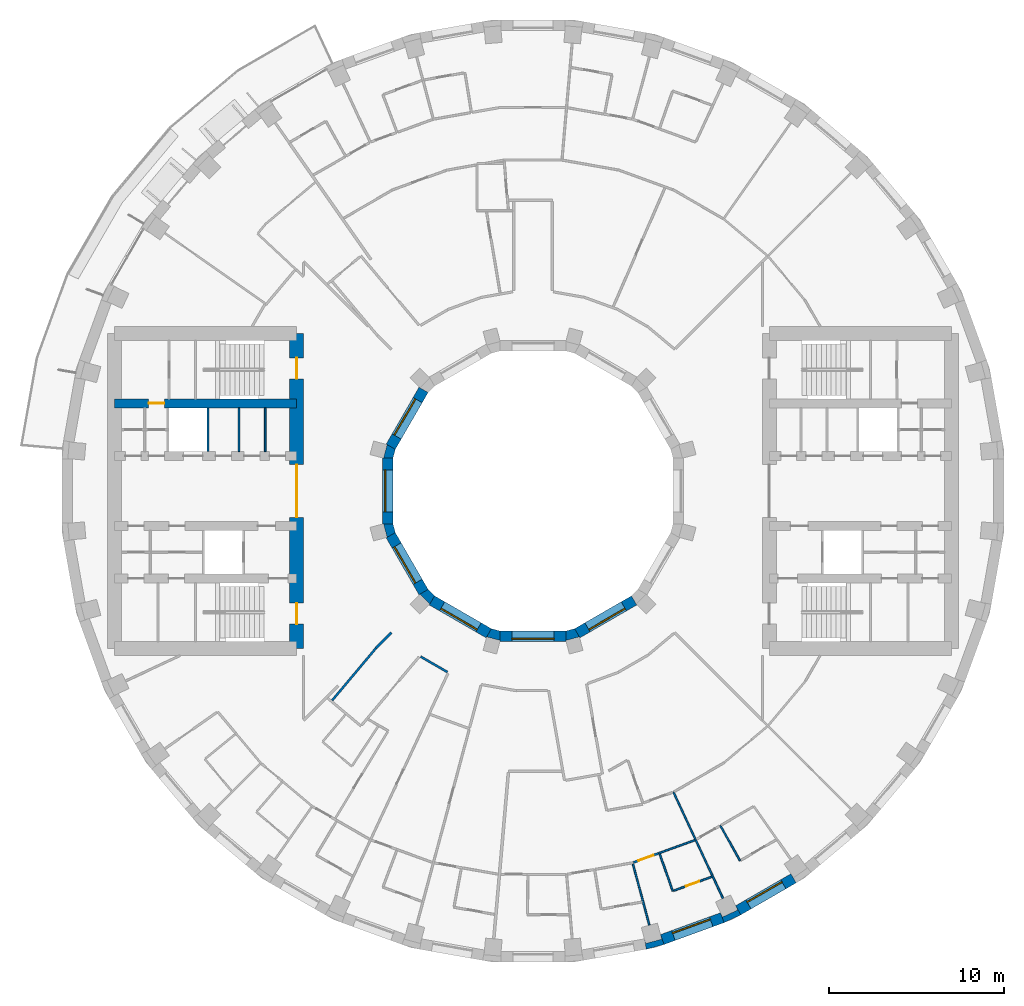
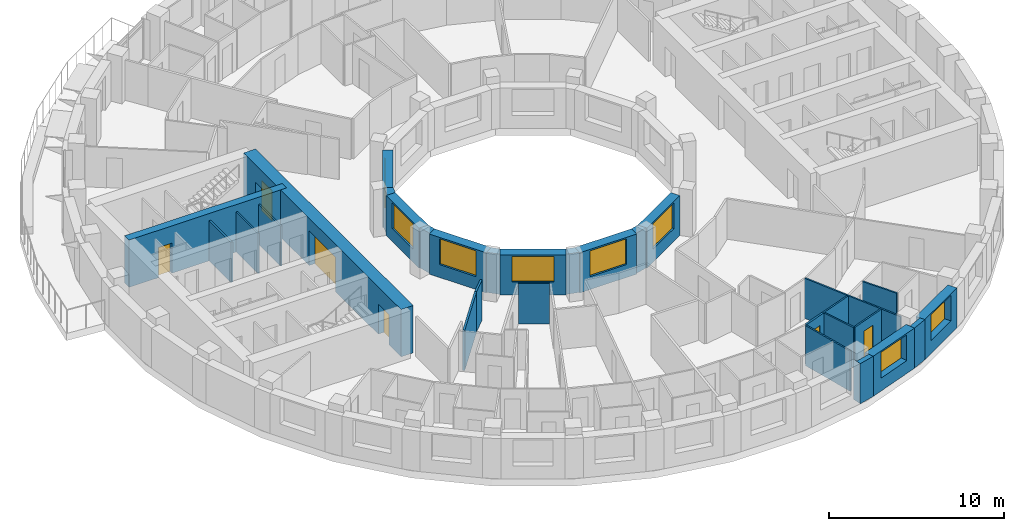
# One storey, part 7 of 14: 30 walls, 8 windows, 6 doors, 14 openings.
"""IFC4 building model written with IfcOpenShell, lengths in metres."""

from ifc_helpers import new_model, si_unit, direction, frame, frame_2d, origin, place, context, subcontext, project, spatial, polyline, rectangle, outline, extrude, material, layer, layer_set, type_object, element, fill, save


model = new_model("IFC4")

# Units and contexts
model_context = context("Model", 3, precision=1e-05, world=origin(), true_north=direction((0.0, 1.0)))
body_context = subcontext(model_context, "Body", "Model", "MODEL_VIEW")
ifc_project = project(units=[si_unit("LENGTHUNIT", "METRE"), si_unit("AREAUNIT", "SQUARE_METRE"), si_unit("VOLUMEUNIT", "CUBIC_METRE"), si_unit("PLANEANGLEUNIT", "RADIAN"), si_unit("MASSUNIT", "GRAM", prefix="KILO")], contexts=[model_context])

# Site, building, storey
site_placement = place(None, origin())
site = spatial("IfcSite", under=ifc_project, at=site_placement, CompositionType="ELEMENT")
building_placement = place(site_placement, origin())
building = spatial("IfcBuilding", under=site, at=building_placement, Name="Saqina Gate Tower", CompositionType="ELEMENT")
storey_placement = place(building_placement, frame((0.0, 0.0, 101.800048828125)))
storey = spatial("IfcBuildingStorey", under=building, at=storey_placement, Name="L28", CompositionType="ELEMENT", Elevation=101.800048828125)

# Walls
ifc_material_1 = material(Name="Brick masonry (buff)", Category="masonry")
wall_type_1 = type_object("IfcWallType", Name="BRICK PIER COPING BUFF", PredefinedType="SOLIDWALL", material=ifc_material_1)
wall_1_placement = place(storey_placement, origin())
element("IfcWall", 1, at=wall_1_placement, inside=storey, type_object=wall_type_1, Name="Pier cap L28 column 29", PredefinedType="SOLIDWALL", context=body_context, shape_type="SweptSolid", body=[
    extrude(outline(polyline([(6.466796875, -26.171875), (7.485595703125, -25.89892578125), (7.2802734375, -25.335205078125), (7.349853515625, -25.5947265625), (6.43212890625, -25.8408203125), (6.36279296875, -25.5810546875), (6.466796875, -26.171875)])), origin(), (0.0, 0.0, 1.0), 2.800048828125),
])
wall_2_placement = place(storey_placement, origin())
element("IfcWall", 2, at=wall_2_placement, inside=storey, type_object=wall_type_1, Name="Pier cap L28 column 30", PredefinedType="SOLIDWALL", context=body_context, shape_type="SweptSolid", body=[
    extrude(outline(polyline([(10.913330078125, -24.6513671875), (11.869140625, -24.205810546875), (11.569091796875, -23.68603515625), (11.6826171875, -23.9296875), (10.82177734375, -24.331298828125), (10.7080078125, -24.08740234375), (10.913330078125, -24.6513671875)])), origin(), (0.0, 0.0, 1.0), 2.800048828125),
])
ifc_material_2 = material(Name="Gypsum board on steel studs", Category="steel")
ifc_layer_1 = layer(ifc_material_2, 0.10009765625)
ifc_layer_set_1 = layer_set([ifc_layer_1], Name="CORE PARTITION")
wall_type_2 = type_object("IfcWallType", Name="CORE PARTITION", PredefinedType="PARTITIONING", material=ifc_layer_set_1)
for number, where, z_axis, x_axis, name in (
    (3, (-15.298095703125, 2.25, 0.0), (0.0, 0.0, 1.0), (0.0, 1.0, 0.0), "L28-CP-W01"),
    (4, (-16.789306640625, 2.25, 0.0), (0.0, 0.0, 1.0), (0.0, 1.0, 0.0), "L28-CP-W02"),
):
    element("IfcWall", number, at=place(storey_placement, frame(where, z_axis=z_axis, x_axis=x_axis)), inside=storey, type_object=wall_type_2, Name=name, PredefinedType="PARTITIONING", context=body_context, shape_type="SweptSolid", body=[
        extrude(rectangle(XDim=2.5, YDim=0.10009765625, at=frame_2d((1.25, 0.0))), origin(), (0.0, 0.0, 1.0), 2.800048828125),
    ])

# Wall, opening, window
ifc_material_3 = material(Name="Brick masonry (buff)", Category="masonry")
ifc_layer_2 = layer(ifc_material_3, 0.60009765625)
ifc_layer_set_2 = layer_set([ifc_layer_2], Name="FW-BRICK-BUFF")
wall_type_3 = type_object("IfcWallType", Name="FW-BRICK-BUFF", PredefinedType="SOLIDWALL", material=ifc_layer_set_2)
wall_3_placement = place(storey_placement, frame((7.3828125, -25.616943359375, 0.0), z_axis=(0.0, 0.0, 1.0), x_axis=(0.939703505393, 0.341990236633, 0.0)))
wall_3 = element("IfcWall", 5, at=wall_3_placement, inside=storey, type_object=wall_type_3, Name="Facade wall L28 facet 29", PredefinedType="SOLIDWALL", context=body_context, shape_type="SweptSolid", body=[
    extrude(rectangle(XDim=3.64794921875, YDim=0.60009765625, at=frame_2d((1.823974609375, 0.0))), origin(), (0.0, 0.0, 1.0), 2.800048828125),
])
opening_1_placement = place(wall_3_placement, frame((0.673828125, 0.0, 0.89990234375)))
opening_1 = element("IfcOpeningElement", 6, at=opening_1_placement, cuts=wall_3, Name="Opening G08-W18", PredefinedType="OPENING", context=body_context, shape_type="SweptSolid", body=[
    extrude(rectangle(XDim=2.300048828125, YDim=1.800048828125, at=frame_2d((1.14990234375, 0.89990234375))), frame((0.0, 0.31201171875, 0.0), z_axis=(0.0, -1.0, 0.0), x_axis=(1.0, 0.0, 0.0)), (0.0, 0.0, 1.0), 0.6240234375),
])
ifc_material_4 = material(Name="Aluminium glazing", Category="aluminium")
window_type_1 = type_object("IfcWindowType", Name="WN-B", PartitioningType="SINGLE_PANEL", PredefinedType="WINDOW", material=ifc_material_4)
window_1_placement = place(opening_1_placement, origin())
window_1 = element("IfcWindow", 7, at=window_1_placement, inside=storey, type_object=window_type_1, Name="Window L28 facet 29", OverallHeight=1.800048828125, OverallWidth=2.300048828125, PartitioningType="SINGLE_PANEL", PredefinedType="WINDOW", context=body_context, shape_type="SweptSolid", body=[
    extrude(rectangle(XDim=2.300048828125, YDim=1.800048828125, at=frame_2d((1.14990234375, 0.89990234375))), frame((0.0, 0.179931640625, 0.0), z_axis=(0.0, -1.0, 0.0), x_axis=(1.0, 0.0, 0.0)), (0.0, 0.0, 1.0), 0.06005859375),
])
fill(opening_1, window_1)

wall_4_placement = place(storey_placement, frame((11.718994140625, -23.94580078125, 0.0), z_axis=(0.0, 0.0, 1.0), x_axis=(0.866051847062, 0.499954196102, 0.0)))
wall_4 = element("IfcWall", 8, at=wall_4_placement, inside=storey, type_object=wall_type_3, Name="Facade wall L28 facet 30", PredefinedType="SOLIDWALL", context=body_context, shape_type="SweptSolid", body=[
    extrude(rectangle(XDim=3.647705078125, YDim=0.60009765625, at=frame_2d((1.82373046875, 0.0))), origin(), (0.0, 0.0, 1.0), 2.800048828125),
])
opening_2_placement = place(wall_4_placement, frame((0.673828125, 0.0, 0.89990234375)))
opening_2 = element("IfcOpeningElement", 9, at=opening_2_placement, cuts=wall_4, Name="Opening G08-W19", PredefinedType="OPENING", context=body_context, shape_type="SweptSolid", body=[
    extrude(rectangle(XDim=2.300048828125, YDim=1.800048828125, at=frame_2d((1.14990234375, 0.89990234375))), frame((0.0, 0.31201171875, 0.0), z_axis=(0.0, -1.0, 0.0), x_axis=(1.0, 0.0, 0.0)), (0.0, 0.0, 1.0), 0.6240234375),
])
window_2_placement = place(opening_2_placement, origin())
window_2 = element("IfcWindow", 10, at=window_2_placement, inside=storey, type_object=window_type_1, Name="Window L28 facet 30", OverallHeight=1.800048828125, OverallWidth=2.300048828125, PartitioningType="SINGLE_PANEL", PredefinedType="WINDOW", context=body_context, shape_type="SweptSolid", body=[
    extrude(rectangle(XDim=2.300048828125, YDim=1.800048828125, at=frame_2d((1.14990234375, 0.89990234375))), frame((0.0, 0.179931640625, 0.0), z_axis=(0.0, -1.0, 0.0), x_axis=(1.0, 0.0, 0.0)), (0.0, 0.0, 1.0), 0.06005859375),
])
fill(opening_2, window_2)

ifc_material_5 = material(Name="Glazed ceramic tile", Category="ceramic")
ifc_layer_3 = layer(ifc_material_5, 0.60009765625)
ifc_layer_set_3 = layer_set([ifc_layer_3], Name="IW-TILE")
wall_type_4 = type_object("IfcWallType", Name="IW-TILE", PredefinedType="SOLIDWALL", material=ifc_layer_set_3)
wall_5_placement = place(storey_placement, frame((-6.251220703125, 5.772705078125, 0.0), z_axis=(0.0, 0.0, 1.0), x_axis=(-0.499964958637, -0.86604563398, 0.0)))
wall_5 = element("IfcWall", 11, at=wall_5_placement, inside=storey, type_object=wall_type_4, Name="Well wall L28 facet 5", PredefinedType="SOLIDWALL", context=body_context, shape_type="SweptSolid", body=[
    extrude(rectangle(XDim=3.747314453125, YDim=0.60009765625, at=frame_2d((1.87353515625, 0.0))), origin(), (0.0, 0.0, 1.0), 2.800048828125),
])
opening_3_placement = place(wall_5_placement, frame((0.673583984375, 0.0, 0.89990234375)))
opening_3 = element("IfcOpeningElement", 12, at=opening_3_placement, cuts=wall_5, Name="Opening G08-W27", PredefinedType="OPENING", context=body_context, shape_type="SweptSolid", body=[
    extrude(rectangle(XDim=2.39990234375, YDim=1.800048828125, at=frame_2d((1.199951171875, 0.89990234375))), frame((0.0, 0.31201171875, 0.0), z_axis=(0.0, -1.0, 0.0), x_axis=(1.0, 0.0, 0.0)), (0.0, 0.0, 1.0), 0.6240234375),
])
ifc_material_6 = material(Name="Aluminium glazing", Category="aluminium")
window_type_2 = type_object("IfcWindowType", Name="WN-W", PartitioningType="SINGLE_PANEL", PredefinedType="WINDOW", material=ifc_material_6)
window_3_placement = place(opening_3_placement, origin())
window_3 = element("IfcWindow", 13, at=window_3_placement, inside=storey, type_object=window_type_2, Name="Well window L28 facet 5", OverallHeight=1.800048828125, OverallWidth=2.39990234375, PartitioningType="SINGLE_PANEL", PredefinedType="WINDOW", context=body_context, shape_type="SweptSolid", body=[
    extrude(rectangle(XDim=2.39990234375, YDim=1.800048828125, at=frame_2d((1.199951171875, 0.89990234375))), frame((0.0, -0.119873046875, 0.0), z_axis=(0.0, -1.0, 0.0), x_axis=(1.0, 0.0, 0.0)), (0.0, 0.0, 1.0), 0.06005859375),
])
fill(opening_3, window_3)

wall_6_placement = place(storey_placement, frame((-8.300048828125, 1.873779296875, 0.0), z_axis=(0.0, 0.0, 1.0), x_axis=(0.0, -1.0, 0.0)))
wall_6 = element("IfcWall", 14, at=wall_6_placement, inside=storey, type_object=wall_type_4, Name="Well wall L28 facet 6", PredefinedType="SOLIDWALL", context=body_context, shape_type="SweptSolid", body=[
    extrude(rectangle(XDim=3.74755859375, YDim=0.60009765625, at=frame_2d((1.873779296875, 0.0))), origin(), (0.0, 0.0, 1.0), 2.800048828125),
])
opening_4_placement = place(wall_6_placement, frame((0.673583984375, 0.0, 0.89990234375)))
opening_4 = element("IfcOpeningElement", 15, at=opening_4_placement, cuts=wall_6, Name="Opening G08-W28", PredefinedType="OPENING", context=body_context, shape_type="SweptSolid", body=[
    extrude(rectangle(XDim=2.39990234375, YDim=1.800048828125, at=frame_2d((1.199951171875, 0.89990234375))), frame((0.0, 0.31201171875, 0.0), z_axis=(0.0, -1.0, 0.0), x_axis=(1.0, 0.0, 0.0)), (0.0, 0.0, 1.0), 0.6240234375),
])
window_4_placement = place(opening_4_placement, origin())
window_4 = element("IfcWindow", 16, at=window_4_placement, inside=storey, type_object=window_type_2, Name="Well window L28 facet 6", OverallHeight=1.800048828125, OverallWidth=2.39990234375, PartitioningType="SINGLE_PANEL", PredefinedType="WINDOW", context=body_context, shape_type="SweptSolid", body=[
    extrude(rectangle(XDim=2.39990234375, YDim=1.800048828125, at=frame_2d((1.199951171875, 0.89990234375))), frame((0.0, -0.119873046875, 0.0), z_axis=(0.0, -1.0, 0.0), x_axis=(1.0, 0.0, 0.0)), (0.0, 0.0, 1.0), 0.06005859375),
])
fill(opening_4, window_4)

wall_7_placement = place(storey_placement, frame((-8.124755859375, -2.52734375, 0.0), z_axis=(0.0, 0.0, 1.0), x_axis=(0.499964958637, -0.86604563398, 0.0)))
wall_7 = element("IfcWall", 17, at=wall_7_placement, inside=storey, type_object=wall_type_4, Name="Well wall L28 facet 7", PredefinedType="SOLIDWALL", context=body_context, shape_type="SweptSolid", body=[
    extrude(rectangle(XDim=3.747314453125, YDim=0.60009765625, at=frame_2d((1.87353515625, 0.0))), origin(), (0.0, 0.0, 1.0), 2.800048828125),
])
opening_5_placement = place(wall_7_placement, frame((0.673583984375, 0.0, 0.89990234375)))
opening_5 = element("IfcOpeningElement", 18, at=opening_5_placement, cuts=wall_7, Name="Opening G08-W29", PredefinedType="OPENING", context=body_context, shape_type="SweptSolid", body=[
    extrude(rectangle(XDim=2.39990234375, YDim=1.800048828125, at=frame_2d((1.199951171875, 0.89990234375))), frame((0.0, 0.31201171875, 0.0), z_axis=(0.0, -1.0, 0.0), x_axis=(1.0, 0.0, 0.0)), (0.0, 0.0, 1.0), 0.6240234375),
])
window_5_placement = place(opening_5_placement, origin())
window_5 = element("IfcWindow", 19, at=window_5_placement, inside=storey, type_object=window_type_2, Name="Well window L28 facet 7", OverallHeight=1.800048828125, OverallWidth=2.39990234375, PartitioningType="SINGLE_PANEL", PredefinedType="WINDOW", context=body_context, shape_type="SweptSolid", body=[
    extrude(rectangle(XDim=2.39990234375, YDim=1.800048828125, at=frame_2d((1.199951171875, 0.89990234375))), frame((0.0, -0.119873046875, 0.0), z_axis=(0.0, -1.0, 0.0), x_axis=(1.0, 0.0, 0.0)), (0.0, 0.0, 1.0), 0.06005859375),
])
fill(opening_5, window_5)

wall_8_placement = place(storey_placement, frame((-5.772705078125, -6.251220703125, 0.0), z_axis=(0.0, 0.0, 1.0), x_axis=(0.86604563398, -0.499964958637, 0.0)))
wall_8 = element("IfcWall", 20, at=wall_8_placement, inside=storey, type_object=wall_type_4, Name="Well wall L28 facet 8", PredefinedType="SOLIDWALL", context=body_context, shape_type="SweptSolid", body=[
    extrude(rectangle(XDim=3.747314453125, YDim=0.60009765625, at=frame_2d((1.87353515625, 0.0))), origin(), (0.0, 0.0, 1.0), 2.800048828125),
])
opening_6_placement = place(wall_8_placement, frame((0.673583984375, 0.0, 0.89990234375)))
opening_6 = element("IfcOpeningElement", 21, at=opening_6_placement, cuts=wall_8, Name="Opening G08-W30", PredefinedType="OPENING", context=body_context, shape_type="SweptSolid", body=[
    extrude(rectangle(XDim=2.39990234375, YDim=1.800048828125, at=frame_2d((1.199951171875, 0.89990234375))), frame((0.0, 0.31201171875, 0.0), z_axis=(0.0, -1.0, 0.0), x_axis=(1.0, 0.0, 0.0)), (0.0, 0.0, 1.0), 0.6240234375),
])
window_6_placement = place(opening_6_placement, origin())
window_6 = element("IfcWindow", 22, at=window_6_placement, inside=storey, type_object=window_type_2, Name="Well window L28 facet 8", OverallHeight=1.800048828125, OverallWidth=2.39990234375, PartitioningType="SINGLE_PANEL", PredefinedType="WINDOW", context=body_context, shape_type="SweptSolid", body=[
    extrude(rectangle(XDim=2.39990234375, YDim=1.800048828125, at=frame_2d((1.199951171875, 0.89990234375))), frame((0.0, -0.119873046875, 0.0), z_axis=(0.0, -1.0, 0.0), x_axis=(1.0, 0.0, 0.0)), (0.0, 0.0, 1.0), 0.06005859375),
])
fill(opening_6, window_6)

wall_9_placement = place(storey_placement, frame((-1.873779296875, -8.300048828125, 0.0), z_axis=(0.0, 0.0, 1.0), x_axis=(1.0, 0.0, 0.0)))
wall_9 = element("IfcWall", 23, at=wall_9_placement, inside=storey, type_object=wall_type_4, Name="Well wall L28 facet 9", PredefinedType="SOLIDWALL", context=body_context, shape_type="SweptSolid", body=[
    extrude(rectangle(XDim=3.74755859375, YDim=0.60009765625, at=frame_2d((1.873779296875, 0.0))), origin(), (0.0, 0.0, 1.0), 2.800048828125),
])
opening_7_placement = place(wall_9_placement, frame((0.673583984375, 0.0, 0.89990234375)))
opening_7 = element("IfcOpeningElement", 24, at=opening_7_placement, cuts=wall_9, Name="Opening G08-W31", PredefinedType="OPENING", context=body_context, shape_type="SweptSolid", body=[
    extrude(rectangle(XDim=2.39990234375, YDim=1.800048828125, at=frame_2d((1.199951171875, 0.89990234375))), frame((0.0, 0.31201171875, 0.0), z_axis=(0.0, -1.0, 0.0), x_axis=(1.0, 0.0, 0.0)), (0.0, 0.0, 1.0), 0.6240234375),
])
window_7_placement = place(opening_7_placement, origin())
window_7 = element("IfcWindow", 25, at=window_7_placement, inside=storey, type_object=window_type_2, Name="Well window L28 facet 9", OverallHeight=1.800048828125, OverallWidth=2.39990234375, PartitioningType="SINGLE_PANEL", PredefinedType="WINDOW", context=body_context, shape_type="SweptSolid", body=[
    extrude(rectangle(XDim=2.39990234375, YDim=1.800048828125, at=frame_2d((1.199951171875, 0.89990234375))), frame((0.0, -0.119873046875, 0.0), z_axis=(0.0, -1.0, 0.0), x_axis=(1.0, 0.0, 0.0)), (0.0, 0.0, 1.0), 0.06005859375),
])
fill(opening_7, window_7)

wall_10_placement = place(storey_placement, frame((2.52734375, -8.124755859375, 0.0), z_axis=(0.0, 0.0, 1.0), x_axis=(0.86604563398, 0.499964958637, 0.0)))
wall_10 = element("IfcWall", 26, at=wall_10_placement, inside=storey, type_object=wall_type_4, Name="Well wall L28 facet 10", PredefinedType="SOLIDWALL", context=body_context, shape_type="SweptSolid", body=[
    extrude(rectangle(XDim=3.747314453125, YDim=0.60009765625, at=frame_2d((1.87353515625, 0.0))), origin(), (0.0, 0.0, 1.0), 2.800048828125),
])
opening_8_placement = place(wall_10_placement, frame((0.673583984375, 0.0, 0.89990234375)))
opening_8 = element("IfcOpeningElement", 27, at=opening_8_placement, cuts=wall_10, Name="Opening G08-W32", PredefinedType="OPENING", context=body_context, shape_type="SweptSolid", body=[
    extrude(rectangle(XDim=2.39990234375, YDim=1.800048828125, at=frame_2d((1.199951171875, 0.89990234375))), frame((0.0, 0.31201171875, 0.0), z_axis=(0.0, -1.0, 0.0), x_axis=(1.0, 0.0, 0.0)), (0.0, 0.0, 1.0), 0.6240234375),
])
window_8_placement = place(opening_8_placement, origin())
window_8 = element("IfcWindow", 28, at=window_8_placement, inside=storey, type_object=window_type_2, Name="Well window L28 facet 10", OverallHeight=1.800048828125, OverallWidth=2.39990234375, PartitioningType="SINGLE_PANEL", PredefinedType="WINDOW", context=body_context, shape_type="SweptSolid", body=[
    extrude(rectangle(XDim=2.39990234375, YDim=1.800048828125, at=frame_2d((1.199951171875, 0.89990234375))), frame((0.0, -0.119873046875, 0.0), z_axis=(0.0, -1.0, 0.0), x_axis=(1.0, 0.0, 0.0)), (0.0, 0.0, 1.0), 0.06005859375),
])
fill(opening_8, window_8)

# Walls
ifc_material_7 = material(Name="Gypsum board on steel studs, 100 mm", Category="steel")
ifc_layer_4 = layer(ifc_material_7, 0.10009765625)
ifc_layer_set_4 = layer_set([ifc_layer_4], Name="PARTITION 100")
wall_type_5 = type_object("IfcWallType", Name="PARTITION 100", PredefinedType="PARTITIONING", material=ifc_layer_set_4)
wall_11_placement = place(storey_placement, frame((5.70556640625, -21.292236328125, 0.0), z_axis=(0.0, 0.0, 1.0), x_axis=(0.258396854417, -0.966038853063, 0.0)))
element("IfcWall", 29, at=wall_11_placement, inside=storey, type_object=wall_type_5, Name="PARTITION PW3-08", PredefinedType="PARTITIONING", context=body_context, shape_type="SweptSolid", body=[
    extrude(rectangle(XDim=3.62158203125, YDim=0.10009765625, at=frame_2d((1.810791015625, 0.0))), origin(), (0.0, 0.0, 1.0), 2.800048828125),
])
wall_12_placement = place(storey_placement, frame((7.234375, -20.72314453125, 0.0), z_axis=(0.0, 0.0, 1.0), x_axis=(0.329707399535, -0.944083169372, 0.0)))
element("IfcWall", 30, at=wall_12_placement, inside=storey, type_object=wall_type_5, Name="PARTITION PW3-09", PredefinedType="PARTITIONING", context=body_context, shape_type="SweptSolid", body=[
    extrude(rectangle(XDim=2.24951171875, YDim=0.10009765625, at=frame_2d((1.124755859375, 0.0))), origin(), (0.0, 0.0, 1.0), 2.800048828125),
])
wall_13_placement = place(storey_placement, frame((8.01806640625, -17.194091796875, 0.0), z_axis=(0.0, 0.0, 1.0), x_axis=(0.422490057257, -0.906367558731, 0.0)))
element("IfcWall", 31, at=wall_13_placement, inside=storey, type_object=wall_type_5, Name="PARTITION PW3-13", PredefinedType="PARTITIONING", context=body_context, shape_type="SweptSolid", body=[
    extrude(rectangle(XDim=6.693359375, YDim=0.10009765625, at=frame_2d((3.3466796875, 0.0))), origin(), (0.0, 0.0, 1.0), 2.800048828125),
])
wall_14_placement = place(storey_placement, frame((10.697998046875, -19.10791015625, 0.0), z_axis=(0.0, 0.0, 1.0), x_axis=(0.488622759198, -0.872495157117, 0.0)))
element("IfcWall", 32, at=wall_14_placement, inside=storey, type_object=wall_type_5, Name="PARTITION PW3-15", PredefinedType="PARTITIONING", context=body_context, shape_type="SweptSolid", body=[
    extrude(rectangle(XDim=2.30029296875, YDim=0.10009765625, at=frame_2d((1.150146484375, 0.0))), origin(), (0.0, 0.0, 1.0), 2.800048828125),
])

# Wall, opening, door
wall_15_placement = place(storey_placement, frame((8.02294921875, -22.829833984375, 0.0), z_axis=(0.0, 0.0, 1.0), x_axis=(0.939707949959, 0.341978023831, 0.0)))
wall_15 = element("IfcWall", 33, at=wall_15_placement, inside=storey, type_object=wall_type_5, Name="PARTITION PW3-54", PredefinedType="PARTITIONING", context=body_context, shape_type="SweptSolid", body=[
    extrude(rectangle(XDim=2.3359375, YDim=0.10009765625, at=frame_2d((1.16796875, 0.0))), origin(), (0.0, 0.0, 1.0), 2.800048828125),
])
opening_9_placement = place(wall_15_placement, frame((0.767822265625, 0.0, 0.0)))
opening_9 = element("IfcOpeningElement", 34, at=opening_9_placement, cuts=wall_15, Name="Opening G08-D44", PredefinedType="OPENING", context=body_context, shape_type="SweptSolid", body=[
    extrude(rectangle(XDim=0.800048828125, YDim=2.10009765625, at=frame_2d((0.39990234375, 1.050048828125))), frame((0.0, 0.06201171875, 0.0), z_axis=(0.0, -1.0, 0.0), x_axis=(1.0, 0.0, 0.0)), (0.0, 0.0, 1.0), 0.1240234375),
])
ifc_material_8 = material(Name="Timber door leaf, 800 mm", Category="wood")
door_type_1 = type_object("IfcDoorType", Name="DOOR 800 TIMBER", OperationType="SINGLE_SWING_LEFT", PredefinedType="DOOR", material=ifc_material_8)
door_1_placement = place(opening_9_placement, frame((0.800048828125, 0.0, 0.0), z_axis=(0.0, 0.0, 1.0), x_axis=(-1.0, 0.0, 0.0)))
door_1 = element("IfcDoor", 35, at=door_1_placement, inside=storey, type_object=door_type_1, Name="DOOR G08-D44", OperationType="SINGLE_SWING_RIGHT", OverallHeight=2.10009765625, OverallWidth=0.800048828125, PredefinedType="DOOR", context=body_context, shape_type="SweptSolid", body=[
    extrude(rectangle(XDim=0.800048828125, YDim=2.10009765625, at=frame_2d((0.39990234375, 1.050048828125))), frame((0.0, 0.02490234375, 0.0), z_axis=(0.0, -1.0, 0.0), x_axis=(1.0, 0.0, 0.0)), (0.0, 0.0, 1.0), 0.050048828125),
])
fill(opening_9, door_1)

# Walls
wall_16_placement = place(storey_placement, frame((7.171142578125, -20.693115234375, 0.0), z_axis=(0.0, 0.0, 1.0), x_axis=(0.939573404597, 0.342347509665, 0.0)))
element("IfcWall", 36, at=wall_16_placement, inside=storey, type_object=wall_type_5, Name="PARTITION PW3-55", PredefinedType="PARTITIONING", context=body_context, shape_type="SweptSolid", body=[
    extrude(rectangle(XDim=2.205078125, YDim=0.10009765625, at=frame_2d((1.1025390625, 0.0))), origin(), (0.0, 0.0, 1.0), 2.800048828125),
])
ifc_material_9 = material(Name="Gypsum board on steel studs, 125 mm, fire rated", Category="steel")
ifc_layer_5 = layer(ifc_material_9, 0.125)
ifc_layer_set_5 = layer_set([ifc_layer_5], Name="PARTITION EI 30 125")
wall_type_6 = type_object("IfcWallType", Name="PARTITION EI 30 125", PredefinedType="PARTITIONING", material=ifc_layer_set_5)
wall_17_placement = place(storey_placement, frame((-6.42138671875, -9.456298828125, 0.0), z_axis=(0.0, 0.0, 1.0), x_axis=(0.866118896865, -0.499838030259, 0.0)))
element("IfcWall", 37, at=wall_17_placement, inside=storey, type_object=wall_type_6, Name="PARTITION PW1-16", PredefinedType="PARTITIONING", context=body_context, shape_type="SweptSolid", body=[
    extrude(rectangle(XDim=1.767578125, YDim=0.125, at=frame_2d((0.8837890625, 0.0))), origin(), (0.0, 0.0, 1.0), 2.800048828125),
])

# Wall, opening, door
wall_18_placement = place(storey_placement, frame((5.736083984375, -21.21484375, 0.0), z_axis=(0.0, 0.0, 1.0), x_axis=(0.939798092341, 0.34173022347, 0.0)))
wall_18 = element("IfcWall", 38, at=wall_18_placement, inside=storey, type_object=wall_type_6, Name="PARTITION PW1-34", PredefinedType="PARTITIONING", context=body_context, shape_type="SweptSolid", body=[
    extrude(rectangle(XDim=1.526611328125, YDim=0.125, at=frame_2d((0.76318359375, 0.0))), origin(), (0.0, 0.0, 1.0), 2.800048828125),
])
opening_10_placement = place(wall_18_placement, frame((0.31396484375, 0.0, 0.0)))
opening_10 = element("IfcOpeningElement", 39, at=opening_10_placement, cuts=wall_18, Name="Opening G08-D42", PredefinedType="OPENING", context=body_context, shape_type="SweptSolid", body=[
    extrude(rectangle(XDim=0.89990234375, YDim=2.10009765625, at=frame_2d((0.449951171875, 1.050048828125))), frame((0.0, 0.074462890625, 0.0), z_axis=(0.0, -1.0, 0.0), x_axis=(1.0, 0.0, 0.0)), (0.0, 0.0, 1.0), 0.14892578125),
])
ifc_material_10 = material(Name="Fire door leaf EI 30, 900 mm")
door_type_2 = type_object("IfcDoorType", Name="DOOR 900 EI 30", OperationType="SINGLE_SWING_LEFT", PredefinedType="DOOR", material=ifc_material_10)
door_2_placement = place(opening_10_placement, origin())
door_2 = element("IfcDoor", 40, at=door_2_placement, inside=storey, type_object=door_type_2, Name="DOOR G08-D42", OperationType="SINGLE_SWING_LEFT", OverallHeight=2.10009765625, OverallWidth=0.89990234375, PredefinedType="DOOR", context=body_context, shape_type="SweptSolid", body=[
    extrude(rectangle(XDim=0.89990234375, YDim=2.10009765625, at=frame_2d((0.449951171875, 1.050048828125))), frame((0.0, 0.02490234375, 0.0), z_axis=(0.0, -1.0, 0.0), x_axis=(1.0, 0.0, 0.0)), (0.0, 0.0, 1.0), 0.050048828125),
])
fill(opening_10, door_2)

# Walls
wall_19_placement = place(storey_placement, frame((-8.967529296875, -8.967529296875, 0.0), z_axis=(0.0, 0.0, 1.0), x_axis=(0.707106781187, 0.707106781187, 0.0)))
element("IfcWall", 41, at=wall_19_placement, inside=storey, type_object=wall_type_6, Name="PARTITION PW1-46", PredefinedType="PARTITIONING", context=body_context, shape_type="SweptSolid", body=[
    extrude(rectangle(XDim=1.238037109375, YDim=0.125, at=frame_2d((0.619140625, 0.0))), origin(), (0.0, 0.0, 1.0), 2.800048828125),
])
wall_20_placement = place(storey_placement, frame((-11.472900390625, -11.961181640625, 0.0), z_axis=(0.0, 0.0, 1.0), x_axis=(0.642813583638, 0.766022647636, 0.0)))
element("IfcWall", 42, at=wall_20_placement, inside=storey, type_object=wall_type_6, Name="PARTITION PW1-49", PredefinedType="PARTITIONING", context=body_context, shape_type="SweptSolid", body=[
    extrude(rectangle(XDim=3.903564453125, YDim=0.125, at=frame_2d((1.95166015625, 0.0))), origin(), (0.0, 0.0, 1.0), 2.800048828125),
])
ifc_material_11 = material(Name="Autoclaved aerated concrete block", Category="concrete")
ifc_layer_6 = layer(ifc_material_11, 0.1201171875)
ifc_layer_set_6 = layer_set([ifc_layer_6], Name="SHAFT PARTITION")
wall_type_7 = type_object("IfcWallType", Name="SHAFT PARTITION", PredefinedType="PARTITIONING", material=ifc_layer_set_6)
wall_21_placement = place(storey_placement, frame((-18.56005859375, 2.25, 0.0), z_axis=(0.0, 0.0, 1.0), x_axis=(0.0, 1.0, 0.0)))
element("IfcWall", 43, at=wall_21_placement, inside=storey, type_object=wall_type_7, Name="L28-CP-W03", PredefinedType="PARTITIONING", context=body_context, shape_type="SweptSolid", body=[
    extrude(rectangle(XDim=2.5, YDim=0.1201171875, at=frame_2d((1.25, 0.0))), origin(), (0.0, 0.0, 1.0), 2.800048828125),
])

# Wall, opening, door
ifc_material_12 = material(Name="Concrete C70/85", Category="concrete")
ifc_layer_7 = layer(ifc_material_12, 0.5)
ifc_layer_set_7 = layer_set([ifc_layer_7], Name="Concrete C70/85")
wall_type_8 = type_object("IfcWallType", Name="STR-CORE WALL-B-I", PredefinedType="SHEAR", material=ifc_layer_set_7)
wall_22_placement = place(storey_placement, frame((-13.5, 5.0, 0.0), z_axis=(0.0, 0.0, 1.0), x_axis=(-1.0, 0.0, 0.0)))
wall_22 = element("IfcWall", 44, at=wall_22_placement, inside=storey, type_object=wall_type_8, Name="CORE WALL L28 W-X1", PredefinedType="SHEAR", context=body_context, shape_type="SweptSolid", body=[
    extrude(rectangle(XDim=10.39990234375, YDim=0.5, at=frame_2d((5.199951171875, 0.0))), origin(), (0.0, 0.0, 1.0), 3.300048828125),
])
opening_11_placement = place(wall_22_placement, frame((7.554931640625, 0.0, 0.0)))
opening_11 = element("IfcOpeningElement", 45, at=opening_11_placement, cuts=wall_22, Name="Opening G08-D121", PredefinedType="OPENING", context=body_context, shape_type="SweptSolid", body=[
    extrude(rectangle(XDim=0.89990234375, YDim=2.10009765625, at=frame_2d((0.449951171875, 1.050048828125))), frame((0.0, 0.261962890625, 0.0), z_axis=(0.0, -1.0, 0.0), x_axis=(1.0, 0.0, 0.0)), (0.0, 0.0, 1.0), 0.52392578125),
])
ifc_material_13 = material(Name="Steel-framed fire door leaf, EI 60", Category="steel")
door_type_3 = type_object("IfcDoorType", Name="SERVICE ROOM DOOR 900", OperationType="SINGLE_SWING_LEFT", PredefinedType="DOOR", material=ifc_material_13)
door_3_placement = place(opening_11_placement, frame((0.89990234375, 0.0, 0.0), z_axis=(0.0, 0.0, 1.0), x_axis=(-1.0, 0.0, 0.0)))
door_3 = element("IfcDoor", 46, at=door_3_placement, inside=storey, type_object=door_type_3, Name="L28-CD-W32", OperationType="SINGLE_SWING_RIGHT", OverallHeight=2.10009765625, OverallWidth=0.89990234375, PredefinedType="DOOR", context=body_context, shape_type="SweptSolid", body=[
    extrude(rectangle(XDim=0.89990234375, YDim=2.10009765625, at=frame_2d((0.449951171875, 1.050048828125))), frame((0.0, 0.02490234375, 0.0), z_axis=(0.0, -1.0, 0.0), x_axis=(1.0, 0.0, 0.0)), (0.0, 0.0, 1.0), 0.050048828125),
])
fill(opening_11, door_3)

# Wall, openings, doors
ifc_material_14 = material(Name="Concrete C70/85", Category="concrete")
ifc_layer_8 = layer(ifc_material_14, 0.800048828125)
ifc_layer_set_8 = layer_set([ifc_layer_8], Name="Concrete C70/85")
wall_type_9 = type_object("IfcWallType", Name="STR-CORE WALL-B-O", PredefinedType="SHEAR", material=ifc_layer_set_8)
wall_23_placement = place(storey_placement, frame((-13.5, -9.0, 0.0), z_axis=(0.0, 0.0, 1.0), x_axis=(0.0, 1.0, 0.0)))
wall_23 = element("IfcWall", 47, at=wall_23_placement, inside=storey, type_object=wall_type_9, Name="CORE WALL L28 W-W1", PredefinedType="SHEAR", context=body_context, shape_type="SweptSolid", body=[
    extrude(rectangle(XDim=18.0, YDim=0.800048828125, at=frame_2d((9.0, 0.0))), origin(), (0.0, 0.0, 1.0), 3.300048828125),
])
opening_12_placement = place(wall_23_placement, frame((15.39990234375, 0.0, 0.0)))
opening_12 = element("IfcOpeningElement", 48, at=opening_12_placement, cuts=wall_23, Name="Opening G08-D127", PredefinedType="OPENING", context=body_context, shape_type="SweptSolid", body=[
    extrude(rectangle(XDim=1.199951171875, YDim=2.10009765625, at=frame_2d((0.60009765625, 1.050048828125))), frame((0.0, 0.412109375, 0.0), z_axis=(0.0, -1.0, 0.0), x_axis=(1.0, 0.0, 0.0)), (0.0, 0.0, 1.0), 0.823974609375),
])
opening_13_placement = place(wall_23_placement, frame((1.39990234375, 0.0, 0.0)))
opening_13 = element("IfcOpeningElement", 49, at=opening_13_placement, cuts=wall_23, Name="Opening G08-D128", PredefinedType="OPENING", context=body_context, shape_type="SweptSolid", body=[
    extrude(rectangle(XDim=1.199951171875, YDim=2.10009765625, at=frame_2d((0.60009765625, 1.050048828125))), frame((0.0, 0.412109375, 0.0), z_axis=(0.0, -1.0, 0.0), x_axis=(1.0, 0.0, 0.0)), (0.0, 0.0, 1.0), 0.823974609375),
])
opening_14_placement = place(wall_23_placement, frame((7.5, 0.0, 0.0)))
opening_14 = element("IfcOpeningElement", 50, at=opening_14_placement, cuts=wall_23, Name="Opening G08-D129", PredefinedType="OPENING", context=body_context, shape_type="SweptSolid", body=[
    extrude(rectangle(XDim=3.0, YDim=2.39990234375, at=frame_2d((1.5, 1.199951171875))), frame((0.0, 0.412109375, 0.0), z_axis=(0.0, -1.0, 0.0), x_axis=(1.0, 0.0, 0.0)), (0.0, 0.0, 1.0), 0.823974609375),
])
ifc_material_15 = material(Name="Steel", Category="steel")
door_type_4 = type_object("IfcDoorType", Name="FIRE DOOR EI 60", OperationType="SINGLE_SWING_LEFT", PredefinedType="DOOR", material=ifc_material_15)
door_4_placement = place(opening_12_placement, origin())
door_4 = element("IfcDoor", 51, at=door_4_placement, inside=storey, type_object=door_type_4, Name="L28-CD-W38", OperationType="SINGLE_SWING_RIGHT", OverallHeight=2.10009765625, OverallWidth=1.199951171875, PredefinedType="DOOR", context=body_context, shape_type="SweptSolid", body=[
    extrude(rectangle(XDim=1.199951171875, YDim=2.10009765625, at=frame_2d((0.60009765625, 1.050048828125))), frame((0.0, 0.02490234375, 0.0), z_axis=(0.0, -1.0, 0.0), x_axis=(1.0, 0.0, 0.0)), (0.0, 0.0, 1.0), 0.050048828125),
])
fill(opening_12, door_4)
door_5_placement = place(opening_13_placement, origin())
door_5 = element("IfcDoor", 52, at=door_5_placement, inside=storey, type_object=door_type_4, Name="L28-CD-W39", OperationType="SINGLE_SWING_LEFT", OverallHeight=2.10009765625, OverallWidth=1.199951171875, PredefinedType="DOOR", context=body_context, shape_type="SweptSolid", body=[
    extrude(rectangle(XDim=1.199951171875, YDim=2.10009765625, at=frame_2d((0.60009765625, 1.050048828125))), frame((0.0, 0.02490234375, 0.0), z_axis=(0.0, -1.0, 0.0), x_axis=(1.0, 0.0, 0.0)), (0.0, 0.0, 1.0), 0.050048828125),
])
fill(opening_13, door_5)
ifc_material_16 = material(Name="Steel and fire-resisting glass", Category="steel")
door_type_5 = type_object("IfcDoorType", Name="LOBBY SCREEN DOOR", OperationType="DOUBLE_DOOR_SLIDING", PredefinedType="DOOR", material=ifc_material_16)
door_6_placement = place(opening_14_placement, origin())
door_6 = element("IfcDoor", 53, at=door_6_placement, inside=storey, type_object=door_type_5, Name="L28-CD-W40", OperationType="DOUBLE_DOOR_SLIDING", OverallHeight=2.39990234375, OverallWidth=3.0, PredefinedType="DOOR", context=body_context, shape_type="SweptSolid", body=[
    extrude(rectangle(XDim=3.0, YDim=2.39990234375, at=frame_2d((1.5, 1.199951171875))), frame((0.0, 0.02490234375, 0.0), z_axis=(0.0, -1.0, 0.0), x_axis=(1.0, 0.0, 0.0)), (0.0, 0.0, 1.0), 0.050048828125),
])
fill(opening_14, door_6)

# Walls
ifc_material_17 = material(Name="Glazed ceramic tile", Category="ceramic")
wall_type_10 = type_object("IfcWallType", Name="TILE PIER COPING", PredefinedType="SOLIDWALL", material=ifc_material_17)
wall_24_placement = place(storey_placement, origin())
element("IfcWall", 54, at=wall_24_placement, inside=storey, type_object=wall_type_10, Name="Well pier cap L28 column 6", PredefinedType="SOLIDWALL", context=body_context, shape_type="SweptSolid", body=[
    extrude(outline(polyline([(-8.5380859375, 1.873779296875), (-8.0, 1.873779296875), (-7.864990234375, 2.377197265625), (-8.3310546875, 2.646484375), (-8.5380859375, 1.873779296875)])), origin(), (0.0, 0.0, 1.0), 2.800048828125),
])
wall_25_placement = place(storey_placement, origin())
element("IfcWall", 55, at=wall_25_placement, inside=storey, type_object=wall_type_10, Name="Well pier cap L28 column 7", PredefinedType="SOLIDWALL", context=body_context, shape_type="SweptSolid", body=[
    extrude(outline(polyline([(-8.3310546875, -2.646484375), (-7.864990234375, -2.377197265625), (-8.0, -1.873779296875), (-8.5380859375, -1.873779296875), (-8.3310546875, -2.646484375)])), origin(), (0.0, 0.0, 1.0), 2.800048828125),
])
wall_26_placement = place(storey_placement, origin())
element("IfcWall", 56, at=wall_26_placement, inside=storey, type_object=wall_type_10, Name="Well pier cap L28 column 8", PredefinedType="SOLIDWALL", context=body_context, shape_type="SweptSolid", body=[
    extrude(outline(polyline([(-6.45751953125, -5.891845703125), (-5.891845703125, -6.45751953125), (-5.622802734375, -5.991455078125), (-5.991455078125, -5.622802734375), (-6.45751953125, -5.891845703125)])), origin(), (0.0, 0.0, 1.0), 2.800048828125),
])
wall_27_placement = place(storey_placement, origin())
element("IfcWall", 57, at=wall_27_placement, inside=storey, type_object=wall_type_10, Name="Well pier cap L28 column 9", PredefinedType="SOLIDWALL", context=body_context, shape_type="SweptSolid", body=[
    extrude(outline(polyline([(-1.873779296875, -8.5380859375), (-1.873779296875, -8.0), (-2.377197265625, -7.864990234375), (-2.646484375, -8.3310546875), (-1.873779296875, -8.5380859375)])), origin(), (0.0, 0.0, 1.0), 2.800048828125),
])
wall_28_placement = place(storey_placement, origin())
element("IfcWall", 58, at=wall_28_placement, inside=storey, type_object=wall_type_10, Name="Well pier cap L28 column 10", PredefinedType="SOLIDWALL", context=body_context, shape_type="SweptSolid", body=[
    extrude(outline(polyline([(2.646484375, -8.3310546875), (2.377197265625, -7.864990234375), (1.873779296875, -8.0), (1.873779296875, -8.5380859375), (2.646484375, -8.3310546875)])), origin(), (0.0, 0.0, 1.0), 2.800048828125),
])

save(model, "model.ifc")
